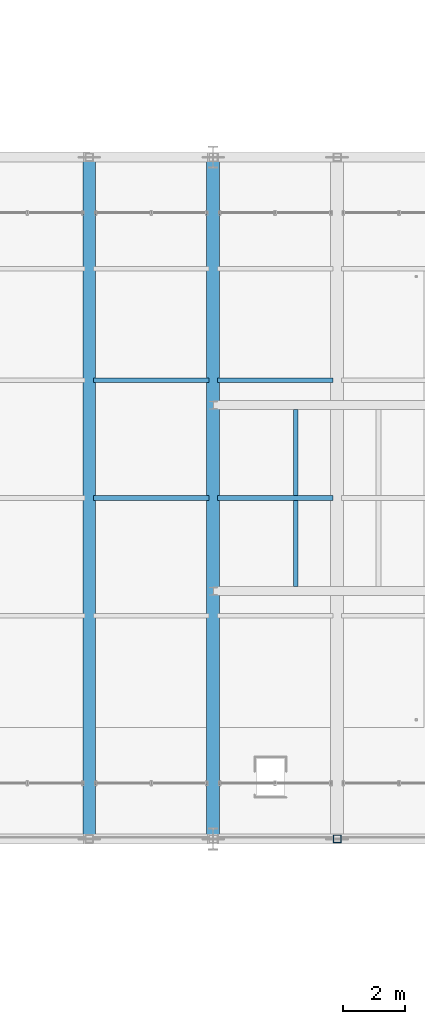
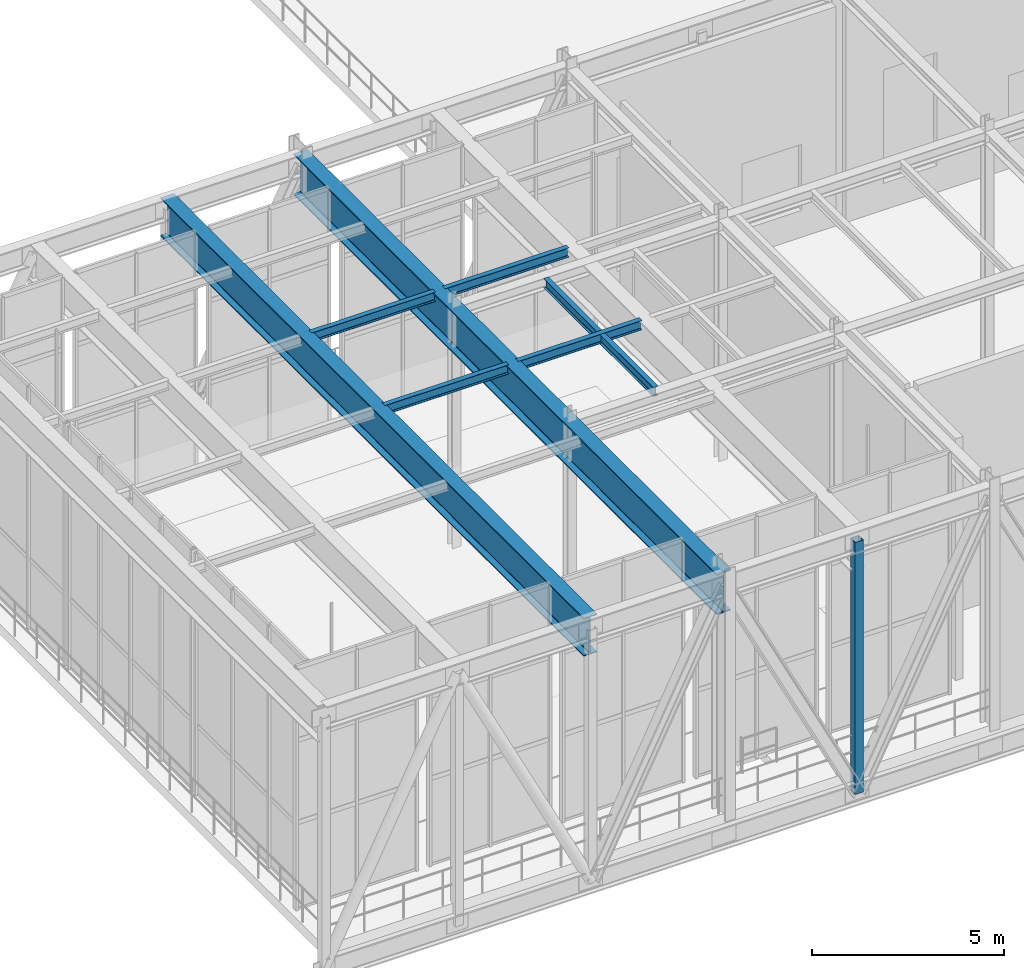
# One storey, part 27 of 138: 7 beams, 1 member.
"""IFC4 building model written with IfcOpenShell, lengths in metres."""

from ifc_helpers import new_model, si_unit, direction, frame, origin, origin_2d, place, context, subcontext, project, spatial, hollow_rectangle, i_section, extrude, material, material_profile, profile_set, type_object, element, save


model = new_model("IFC4")

# Units and contexts
model_context = context("Model", 3, precision=1e-05, world=origin(), true_north=direction((0.0, 1.0)))
body_context = subcontext(model_context, "Body", "Model", "MODEL_VIEW")
ifc_project = project(units=[si_unit("LENGTHUNIT", "METRE"), si_unit("AREAUNIT", "SQUARE_METRE"), si_unit("VOLUMEUNIT", "CUBIC_METRE"), si_unit("PLANEANGLEUNIT", "RADIAN"), si_unit("MASSUNIT", "GRAM", prefix="KILO")], contexts=[model_context])

# Site, building, storey
site_placement = place(None, origin())
site = spatial("IfcSite", under=ifc_project, at=site_placement, CompositionType="ELEMENT")
building_placement = place(site_placement, origin())
building = spatial("IfcBuilding", under=site, at=building_placement, Name="Sundkrona Museum", CompositionType="ELEMENT")
storey_placement = place(building_placement, frame((0.0, 0.0, 9.60009765625)))
storey = spatial("IfcBuildingStorey", under=building, at=storey_placement, Name="L02", CompositionType="ELEMENT", Elevation=9.60009765625)

# Beams
ifc_material_1 = material(Name="Steel S355J2", Category="steel")
ifc_material_profile_1 = material_profile(ifc_material_1, i_section(OverallWidth=0.14990234375, OverallDepth=0.300048828125, WebThickness=0.007080078125, FlangeThickness=0.0107421875, FilletRadius=0.014892578125, at=origin_2d()), Name="IPE 300")
ifc_profile_set_1 = profile_set([ifc_material_profile_1], Name="Steel S355J2")
beam_type_1 = type_object("IfcBeamType", Name="J-IPE300", PredefinedType="JOIST", material=ifc_profile_set_1)
beam_1_placement = place(storey_placement, frame((18.666748046875, 40.14404296875, 7.52490234375), z_axis=(0.0, 1.0, 0.0), x_axis=(-1.0, 0.0, 0.0)))
element("IfcBeam", 1, at=beam_1_placement, inside=storey, type_object=beam_type_1, Name="L02 Composite Joist 0778", PredefinedType="JOIST", context=body_context, shape_type="SweptSolid", body=[
    extrude(i_section(OverallWidth=0.14990234375, OverallDepth=0.300048828125, WebThickness=0.007080078125, FlangeThickness=0.0107421875, FilletRadius=0.014892578125, at=origin_2d()), origin(), (0.0, 0.0, 1.0), 5.7119140625),
])
for number, where, z_axis, x_axis, name in (
    (2, (12.139892578125, 43.0, 7.52490234375), (1.0, 0.0, 0.0), (0.0, 1.0, 0.0), "L02 Cantilever Floor Joist"),
    (3, (16.139892578125, 43.0, 7.52490234375), (1.0, 0.0, 0.0), (0.0, 1.0, 0.0), "L02 Cantilever Floor Joist"),
    (4, (12.139892578125, 46.800048828125, 7.52490234375), (1.0, 0.0, 0.0), (0.0, 1.0, 0.0), "L02 Cantilever Floor Joist"),
    (5, (16.139892578125, 46.800048828125, 7.52490234375), (1.0, 0.0, 0.0), (0.0, 1.0, 0.0), "L02 Cantilever Floor Joist"),
):
    element("IfcBeam", number, at=place(storey_placement, frame(where, z_axis=z_axis, x_axis=x_axis)), inside=storey, type_object=beam_type_1, Name=name, PredefinedType="JOIST", context=body_context, shape_type="SweptSolid", body=[
        extrude(i_section(OverallWidth=0.14990234375, OverallDepth=0.300048828125, WebThickness=0.007080078125, FlangeThickness=0.0107421875, FilletRadius=0.014892578125, at=origin_2d()), origin(), (0.0, 0.0, 1.0), 3.72021484375),
    ])

# Member
ifc_material_2 = material(Name="Steel S460M", Category="steel")
ifc_material_profile_2 = material_profile(ifc_material_2, hollow_rectangle(XDim=0.25, YDim=0.25, WallThickness=0.012451171875, at=origin_2d()), Name="SHS 250x250x12.5")
ifc_profile_set_2 = profile_set([ifc_material_profile_2], Name="Steel S460M")
member_type = type_object("IfcMemberType", Name="ST-SHS250", PredefinedType="STRUT", material=ifc_profile_set_2)
member_placement = place(storey_placement, frame((20.0, 32.0, -0.68017578125), z_axis=(0.0, 0.0, 1.0), x_axis=(1.0, 0.0, 0.0)))
element("IfcMember", 6, at=member_placement, inside=storey, type_object=member_type, Name="TRS-1 Cantilever Transfer Truss S Vertical Post 5", PredefinedType="STRUT", context=body_context, shape_type="SweptSolid", body=[
    extrude(hollow_rectangle(XDim=0.25, YDim=0.25, WallThickness=0.012451171875, at=origin_2d()), origin(), (0.0, 0.0, 1.0), 8.0),
])

# Beams
ifc_material_profile_3 = material_profile(ifc_material_2, i_section(OverallWidth=0.39990234375, OverallDepth=1.219970703125, WebThickness=0.01904296875, FlangeThickness=0.035888671875, FilletRadius=0.02392578125, at=origin_2d()), Name="PG 1220x400")
ifc_profile_set_3 = profile_set([ifc_material_profile_3], Name="Steel S460M")
beam_type_2 = type_object("IfcBeamType", Name="TG-HEB800", PredefinedType="USERDEFINED", material=ifc_profile_set_3)
beam_2_placement = place(storey_placement, frame((12.0, 32.0, 7.06494140625), z_axis=(0.0, 1.0, 0.0), x_axis=(-1.0, 0.0, 0.0)))
element("IfcBeam", 7, at=beam_2_placement, inside=storey, type_object=beam_type_2, Name="TG-2 L02 Cantilever Cross Transfer Girder X=12", ObjectType="TRANSFER GIRDER", PredefinedType="USERDEFINED", context=body_context, shape_type="SweptSolid", body=[
    extrude(i_section(OverallWidth=0.39990234375, OverallDepth=1.219970703125, WebThickness=0.01904296875, FlangeThickness=0.035888671875, FilletRadius=0.02392578125, at=origin_2d()), origin(), (0.0, 0.0, 1.0), 22.0),
])
ifc_material_profile_4 = material_profile(ifc_material_2, i_section(OverallWidth=0.419921875, OverallDepth=1.300048828125, WebThickness=0.02001953125, FlangeThickness=0.0380859375, FilletRadius=0.02392578125, at=origin_2d()), Name="PG 1300x420")
ifc_profile_set_4 = profile_set([ifc_material_profile_4], Name="Steel S460M")
beam_type_3 = type_object("IfcBeamType", Name="TG-HEM900", PredefinedType="USERDEFINED", material=ifc_profile_set_4)
beam_3_placement = place(storey_placement, frame((16.0, 32.0, 7.02490234375), z_axis=(0.0, 1.0, 0.0), x_axis=(-1.0, 0.0, 0.0)))
element("IfcBeam", 8, at=beam_3_placement, inside=storey, type_object=beam_type_3, Name="TG-1 L02 Cantilever Cross Transfer Girder X=16", ObjectType="TRANSFER GIRDER", PredefinedType="USERDEFINED", context=body_context, shape_type="SweptSolid", body=[
    extrude(i_section(OverallWidth=0.419921875, OverallDepth=1.300048828125, WebThickness=0.02001953125, FlangeThickness=0.0380859375, FilletRadius=0.02392578125, at=origin_2d()), origin(), (0.0, 0.0, 1.0), 22.0),
])

save(model, "model.ifc")
